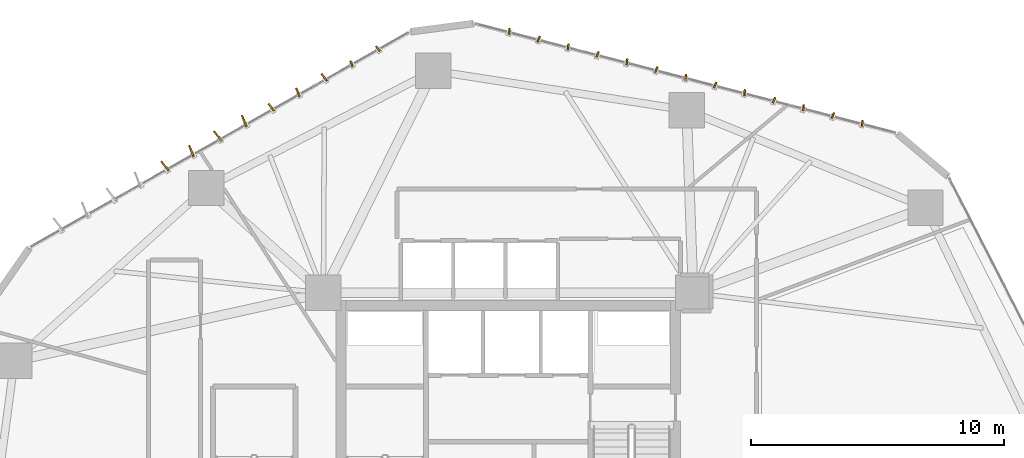
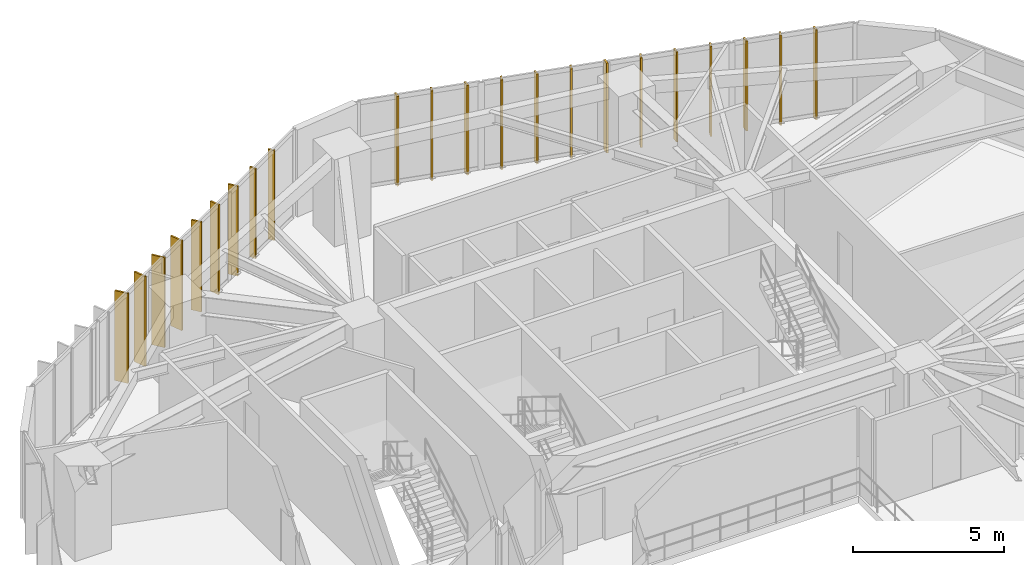
# One storey, part 23 of 23: 22 shading devices.
"""IFC4 building model written with IfcOpenShell, lengths in metres."""

from ifc_helpers import new_model, si_unit, direction, frame, origin, origin_2d, place, context, subcontext, project, spatial, rectangle, extrude, source, transform, mapped, material, layer, layer_set, type_object, type_shapes, element, save


model = new_model("IFC4")

# Units and contexts
model_context = context("Model", 3, precision=1e-05, world=origin(), true_north=direction((0.0, 1.0)))
body_context = subcontext(model_context, "Body", "Model", "MODEL_VIEW")
ifc_project = project(units=[si_unit("LENGTHUNIT", "METRE"), si_unit("AREAUNIT", "SQUARE_METRE"), si_unit("VOLUMEUNIT", "CUBIC_METRE"), si_unit("PLANEANGLEUNIT", "RADIAN"), si_unit("MASSUNIT", "GRAM", prefix="KILO")], contexts=[model_context])

# Site, building, storey
site_placement = place(None, origin())
site = spatial("IfcSite", under=ifc_project, at=site_placement, CompositionType="ELEMENT")
building_placement = place(site_placement, origin())
building = spatial("IfcBuilding", under=site, at=building_placement, Name="Talar Marvaseh", CompositionType="ELEMENT")
storey_placement = place(building_placement, frame((0.0, 0.0, 46.800048828125)))
storey = spatial("IfcBuildingStorey", under=building, at=storey_placement, Name="L11", CompositionType="ELEMENT", Elevation=46.800048828125)

# Shading devices
ifc_material = material(Name="Anodised Champagne Bronze Aluminium", Category="aluminium")
ifc_layer_1 = layer(ifc_material, 0.06494140625)
ifc_layer_set_1 = layer_set([ifc_layer_1], Name="Anodised Champagne Bronze Aluminium")
shading_device_type_1 = type_object("IfcShadingDeviceType", Name="Sawtooth Champagne Bronze Vertical Fin 240", PredefinedType="USERDEFINED", material=ifc_layer_set_1)
shared_shape_1 = source(origin(), body_context, "Body", "SweptSolid", [
    extrude(rectangle(XDim=0.239990234375, YDim=0.06494140625, at=origin_2d()), origin(), (0.0, 0.0, 1.0), 3.639892578125),
])
type_shapes(shading_device_type_1, [shared_shape_1])
for number, where, z_axis, x_axis, name in (
    (1, (19.8095703125, 45.951416015625, -0.1201171875), (0.0, 0.0, 1.0), (-0.367637672416, 0.929969107993, 0.0), "L11 Sawtooth Vertical Solar Fin"),
    (2, (20.853271484375, 46.543701171875, -0.1201171875), (0.0, 0.0, 1.0), (-0.609730238396, 0.792609005996, 0.0), "L11 Sawtooth Vertical Solar Fin"),
    (3, (26.04248046875, 47.226806640625, -0.1201171875), (0.0, 0.0, 1.0), (0.114417005998, 0.99343281038, 0.0), "L11 Sawtooth Vertical Solar Fin"),
    (4, (27.203857421875, 46.9248046875, -0.1201171875), (0.0, 0.0, 1.0), (0.383811878264, 0.923411307113, 0.0), "L11 Sawtooth Vertical Solar Fin"),
    (5, (28.365234375, 46.623046875, -0.1201171875), (0.0, 0.0, 1.0), (0.114417005998, 0.99343281038, 0.0), "L11 Sawtooth Vertical Solar Fin"),
    (6, (29.526611328125, 46.3212890625, -0.1201171875), (0.0, 0.0, 1.0), (0.383811878264, 0.923411307113, 0.0), "L11 Sawtooth Vertical Solar Fin"),
    (7, (30.68798828125, 46.019287109375, -0.1201171875), (0.0, 0.0, 1.0), (0.114417005998, 0.99343281038, 0.0), "L11 Sawtooth Vertical Solar Fin"),
    (8, (31.849609375, 45.717529296875, -0.1201171875), (0.0, 0.0, 1.0), (0.383811878264, 0.923411307113, 0.0), "L11 Sawtooth Vertical Solar Fin"),
    (9, (33.010986328125, 45.415771484375, -0.1201171875), (0.0, 0.0, 1.0), (0.114417005998, 0.99343281038, 0.0), "L11 Sawtooth Vertical Solar Fin"),
    (10, (34.17236328125, 45.114013671875, -0.1201171875), (0.0, 0.0, 1.0), (0.383811878264, 0.923411307113, 0.0), "L11 Sawtooth Vertical Solar Fin"),
    (11, (35.333740234375, 44.81201171875, -0.1201171875), (0.0, 0.0, 1.0), (0.114417005998, 0.99343281038, 0.0), "L11 Sawtooth Vertical Solar Fin"),
    (12, (36.4951171875, 44.51025390625, -0.1201171875), (0.0, 0.0, 1.0), (0.383811878264, 0.923411307113, 0.0), "L11 Sawtooth Vertical Solar Fin"),
    (13, (37.656494140625, 44.20849609375, -0.1201171875), (0.0, 0.0, 1.0), (0.114417005998, 0.99343281038, 0.0), "L11 Sawtooth Vertical Solar Fin"),
    (14, (38.818115234375, 43.906494140625, -0.1201171875), (0.0, 0.0, 1.0), (0.383811878264, 0.923411307113, 0.0), "L11 Sawtooth Vertical Solar Fin"),
    (15, (39.9794921875, 43.604736328125, -0.1201171875), (0.0, 0.0, 1.0), (0.114417005998, 0.99343281038, 0.0), "L11 Sawtooth Vertical Solar Fin"),
):
    element("IfcShadingDevice", number, at=place(storey_placement, frame(where, z_axis=z_axis, x_axis=x_axis)), inside=storey, type_object=shading_device_type_1, Name=name, ObjectType="FIN", PredefinedType="USERDEFINED", context=body_context, shape_type="MappedRepresentation", body=[
        mapped(shared_shape_1, transform((0.0, 0.0, 0.0), x_axis=(1.0, 0.0, 0.0), y_axis=(0.0, 1.0, 0.0), z_axis=(0.0, 0.0, 1.0), scale=1.0)),
    ])
ifc_layer_2 = layer(ifc_material, 0.06494140625)
ifc_layer_set_2 = layer_set([ifc_layer_2], Name="Anodised Champagne Bronze Aluminium")
shading_device_type_2 = type_object("IfcShadingDeviceType", Name="Sawtooth Champagne Bronze Vertical Fin 360", PredefinedType="USERDEFINED", material=ifc_layer_set_2)
shared_shape_2 = source(origin(), body_context, "Body", "SweptSolid", [
    extrude(rectangle(XDim=0.360107421875, YDim=0.06494140625, at=origin_2d()), origin(), (0.0, 0.0, 1.0), 3.639892578125),
])
type_shapes(shading_device_type_2, [shared_shape_2])
for number, where, z_axis, x_axis, name in (
    (16, (16.648681640625, 44.227294921875, -0.1201171875), (0.0, 0.0, 1.0), (-0.609730238396, 0.792609005996, 0.0), "L11 Sawtooth Vertical Solar Fin"),
    (17, (17.692626953125, 44.8193359375, -0.1201171875), (0.0, 0.0, 1.0), (-0.367637672416, 0.929969107993, 0.0), "L11 Sawtooth Vertical Solar Fin"),
    (18, (18.736328125, 45.41162109375, -0.1201171875), (0.0, 0.0, 1.0), (-0.609730238396, 0.792609005996, 0.0), "L11 Sawtooth Vertical Solar Fin"),
):
    element("IfcShadingDevice", number, at=place(storey_placement, frame(where, z_axis=z_axis, x_axis=x_axis)), inside=storey, type_object=shading_device_type_2, Name=name, ObjectType="FIN", PredefinedType="USERDEFINED", context=body_context, shape_type="MappedRepresentation", body=[
        mapped(shared_shape_2, transform((0.0, 0.0, 0.0), x_axis=(1.0, 0.0, 0.0), y_axis=(0.0, 1.0, 0.0), z_axis=(0.0, 0.0, 1.0), scale=1.0)),
    ])
ifc_layer_3 = layer(ifc_material, 0.06494140625)
ifc_layer_set_3 = layer_set([ifc_layer_3], Name="Anodised Champagne Bronze Aluminium")
shading_device_type_3 = type_object("IfcShadingDeviceType", Name="Sawtooth Champagne Bronze Vertical Fin 480", PredefinedType="USERDEFINED", material=ifc_layer_set_3)
shared_shape_3 = source(origin(), body_context, "Body", "SweptSolid", [
    extrude(rectangle(XDim=0.47998046875, YDim=0.06494140625, at=origin_2d()), origin(), (0.0, 0.0, 1.0), 3.639892578125),
])
type_shapes(shading_device_type_3, [shared_shape_3])
for number, where, z_axis, x_axis, name in (
    (19, (12.4443359375, 41.910888671875, -0.1201171875), (0.0, 0.0, 1.0), (-0.609730238396, 0.792609005996, 0.0), "L11 Sawtooth Vertical Solar Fin"),
    (20, (13.488037109375, 42.5029296875, -0.1201171875), (0.0, 0.0, 1.0), (-0.367637672416, 0.929969107993, 0.0), "L11 Sawtooth Vertical Solar Fin"),
    (21, (14.53173828125, 43.094970703125, -0.1201171875), (0.0, 0.0, 1.0), (-0.609730238396, 0.792609005996, 0.0), "L11 Sawtooth Vertical Solar Fin"),
    (22, (15.575439453125, 43.687255859375, -0.1201171875), (0.0, 0.0, 1.0), (-0.367637672416, 0.929969107993, 0.0), "L11 Sawtooth Vertical Solar Fin"),
):
    element("IfcShadingDevice", number, at=place(storey_placement, frame(where, z_axis=z_axis, x_axis=x_axis)), inside=storey, type_object=shading_device_type_3, Name=name, ObjectType="FIN", PredefinedType="USERDEFINED", context=body_context, shape_type="MappedRepresentation", body=[
        mapped(shared_shape_3, transform((0.0, 0.0, 0.0), x_axis=(1.0, 0.0, 0.0), y_axis=(0.0, 1.0, 0.0), z_axis=(0.0, 0.0, 1.0), scale=1.0)),
    ])

save(model, "model.ifc")
